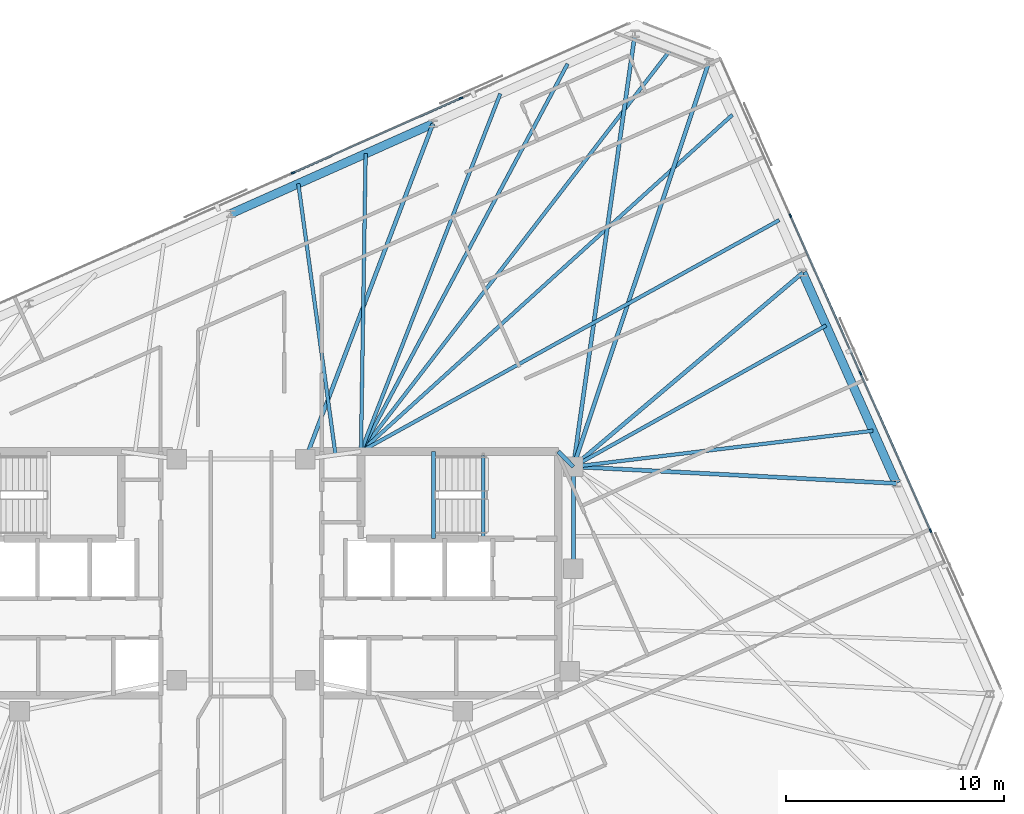
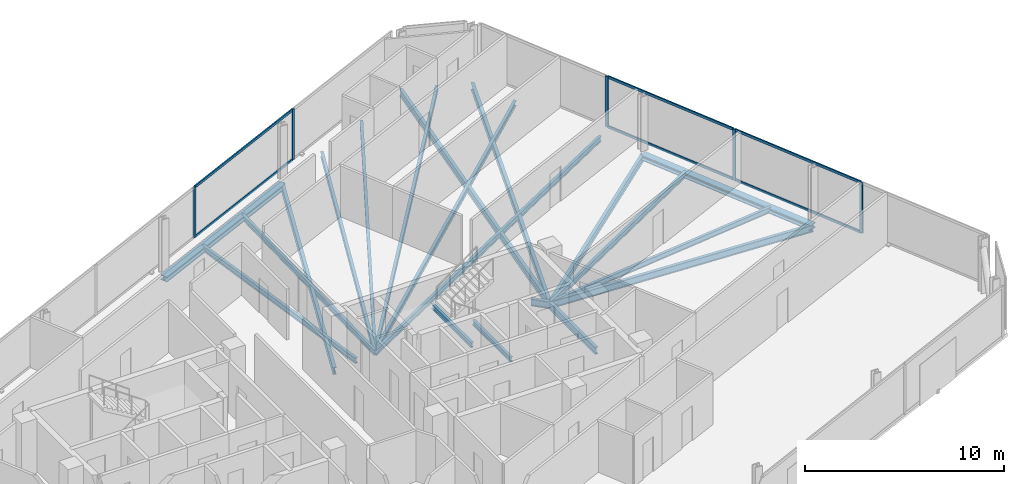
# One storey, part 10 of 18: 20 beams, 11 members, 2 elements without a shape of their own.
"""IFC4 building model written with IfcOpenShell, lengths in metres."""

from ifc_helpers import new_model, si_unit, direction, frame, origin, origin_2d, place, context, subcontext, project, spatial, rectangle, i_section, extrude, material, material_profile, profile_set, type_object, element, aggregate, save


model = new_model("IFC4")

# Units and contexts
model_context = context("Model", 3, precision=1e-05, world=origin(), true_north=direction((0.0, 1.0)))
body_context = subcontext(model_context, "Body", "Model", "MODEL_VIEW")
ifc_project = project(units=[si_unit("LENGTHUNIT", "METRE"), si_unit("AREAUNIT", "SQUARE_METRE"), si_unit("VOLUMEUNIT", "CUBIC_METRE"), si_unit("PLANEANGLEUNIT", "RADIAN"), si_unit("MASSUNIT", "GRAM", prefix="KILO")], contexts=[model_context])

# Site, building, storey
site_placement = place(None, origin())
site = spatial("IfcSite", under=ifc_project, at=site_placement, CompositionType="ELEMENT")
building_placement = place(site_placement, origin())
building = spatial("IfcBuilding", under=site, at=building_placement, Name="Menara Jurai Vektor", CompositionType="ELEMENT")
storey_placement = place(building_placement, frame((0.0, 0.0, 258.85009765625)))
storey = spatial("IfcBuildingStorey", under=building, at=storey_placement, Name="L69", CompositionType="ELEMENT", Elevation=258.85009765625)

# Curtain wall, members
ifc_material_1 = material(Name="Anodised Pale Aluminium & Low-E Double Glazing", Category="aluminium")
curtain_wall_type = type_object("IfcCurtainWallType", Name="CW-BLK5", PredefinedType="NOTDEFINED", material=ifc_material_1)
curtain_wall_1_placement = place(storey_placement, origin())
curtain_wall_1 = element("IfcCurtainWall", 1, at=curtain_wall_1_placement, inside=storey, type_object=curtain_wall_type, Name="Unitised Curtain Wall L69 F03", PredefinedType="NOTDEFINED")
ifc_material_2 = material(Name="Anodised Pale Aluminium Mullion", Category="aluminium")
ifc_material_profile_1 = material_profile(ifc_material_2, rectangle(XDim=0.074951171875, YDim=0.175048828125, at=origin_2d()), Name="ALU MUL 75x175")
ifc_profile_set_1 = profile_set([ifc_material_profile_1], Name="Anodised Pale Aluminium Mullion")
member_type_1 = type_object("IfcMemberType", Name="CW-BLK5-MUL", PredefinedType="MULLION", material=ifc_profile_set_1)
member_1_placement = place(storey_placement, frame((31.6533203125, 1.9658203125, 0.0), z_axis=(0.0, 0.0, 1.0), x_axis=(-0.913546127706, -0.406735138086, 0.0)))
member_1 = element("IfcMember", 2, at=member_1_placement, type_object=member_type_1, Name="CW-05 mullion 2", PredefinedType="MULLION", context=body_context, shape_type="SweptSolid", body=[
    extrude(rectangle(XDim=0.074951171875, YDim=0.175048828125, at=origin_2d()), origin(), (0.0, 0.0, 1.0), 3.125),
])
member_2_placement = place(storey_placement, frame((28.43603515625, 9.19189453125, 0.0), z_axis=(0.0, 0.0, 1.0), x_axis=(-0.913546127706, -0.406735138086, 0.0)))
member_2 = element("IfcMember", 3, at=member_2_placement, type_object=member_type_1, Name="CW-05 mullion 3", PredefinedType="MULLION", context=body_context, shape_type="SweptSolid", body=[
    extrude(rectangle(XDim=0.074951171875, YDim=0.175048828125, at=origin_2d()), origin(), (0.0, 0.0, 1.0), 3.125),
])
member_3_placement = place(storey_placement, frame((25.21875, 16.418212890625, 0.0), z_axis=(0.0, 0.0, 1.0), x_axis=(-0.913546127706, -0.406735138086, 0.0)))
member_3 = element("IfcMember", 4, at=member_3_placement, type_object=member_type_1, Name="CW-05 mullion 4", PredefinedType="MULLION", context=body_context, shape_type="SweptSolid", body=[
    extrude(rectangle(XDim=0.074951171875, YDim=0.175048828125, at=origin_2d()), origin(), (0.0, 0.0, 1.0), 3.125),
])

curtain_wall_2_placement = place(storey_placement, origin())
curtain_wall_2 = element("IfcCurtainWall", 5, at=curtain_wall_2_placement, inside=storey, type_object=curtain_wall_type, Name="Unitised Curtain Wall L69 F05", PredefinedType="NOTDEFINED")
member_4_placement = place(storey_placement, frame((10.0927734375, 21.822998046875, 0.0), z_axis=(0.0, 0.0, 1.0), x_axis=(0.406735498684, -0.913545967158, 0.0)))
member_4 = element("IfcMember", 6, at=member_4_placement, type_object=member_type_1, Name="CW-05 mullion 2", PredefinedType="MULLION", context=body_context, shape_type="SweptSolid", body=[
    extrude(rectangle(XDim=0.074951171875, YDim=0.175048828125, at=origin_2d()), origin(), (0.0, 0.0, 1.0), 3.125),
])
member_5_placement = place(storey_placement, frame((2.38232421875, 18.39013671875, 0.0), z_axis=(0.0, 0.0, 1.0), x_axis=(0.406735498684, -0.913545967158, 0.0)))
member_5 = element("IfcMember", 7, at=member_5_placement, type_object=member_type_1, Name="CW-05 mullion 3", PredefinedType="MULLION", context=body_context, shape_type="SweptSolid", body=[
    extrude(rectangle(XDim=0.074951171875, YDim=0.175048828125, at=origin_2d()), origin(), (0.0, 0.0, 1.0), 3.125),
])

# Member
ifc_material_3 = material(Name="Anodised Pale Aluminium Transom", Category="aluminium")
ifc_material_profile_2 = material_profile(ifc_material_3, rectangle(XDim=0.074951171875, YDim=0.155029296875, at=origin_2d()), Name="ALU TRN 75x155")
ifc_profile_set_2 = profile_set([ifc_material_profile_2], Name="Anodised Pale Aluminium Transom")
member_type_2 = type_object("IfcMemberType", Name="CW-BLK5-TRN", PredefinedType="USERDEFINED", material=ifc_profile_set_2)
member_6_placement = place(storey_placement, frame((31.63818359375, 2.0, 0.037353515625), z_axis=(-0.406731062496, 0.913547942256, 0.0), x_axis=(-0.913547942256, -0.406731062496, 0.0)))
member_6 = element("IfcMember", 8, at=member_6_placement, type_object=member_type_2, Name="CW-05 transom 2.1", ObjectType="TRANSOM", PredefinedType="USERDEFINED", context=body_context, shape_type="SweptSolid", body=[
    extrude(rectangle(XDim=0.074951171875, YDim=0.155029296875, at=origin_2d()), origin(), (0.0, 0.0, 1.0), 7.8349609375),
])

member_7_placement = place(storey_placement, frame((31.63818359375, 2.0, 3.08740234375), z_axis=(-0.406731062496, 0.913547942256, 0.0), x_axis=(-0.913547942256, -0.406731062496, 0.0)))
member_7 = element("IfcMember", 9, at=member_7_placement, type_object=member_type_2, Name="CW-05 transom 2.2", ObjectType="TRANSOM", PredefinedType="USERDEFINED", context=body_context, shape_type="SweptSolid", body=[
    extrude(rectangle(XDim=0.074951171875, YDim=0.155029296875, at=origin_2d()), origin(), (0.0, 0.0, 1.0), 7.8349609375),
])

member_8_placement = place(storey_placement, frame((28.4208984375, 9.226318359375, 0.037353515625), z_axis=(-0.40674264085, 0.913542787238, 0.0), x_axis=(-0.913542787238, -0.40674264085, 0.0)))
member_8 = element("IfcMember", 10, at=member_8_placement, type_object=member_type_2, Name="CW-05 transom 3.1", ObjectType="TRANSOM", PredefinedType="USERDEFINED", context=body_context, shape_type="SweptSolid", body=[
    extrude(rectangle(XDim=0.074951171875, YDim=0.155029296875, at=origin_2d()), origin(), (0.0, 0.0, 1.0), 7.8349609375),
])

member_9_placement = place(storey_placement, frame((28.4208984375, 9.226318359375, 3.08740234375), z_axis=(-0.40674264085, 0.913542787238, 0.0), x_axis=(-0.913542787238, -0.40674264085, 0.0)))
member_9 = element("IfcMember", 11, at=member_9_placement, type_object=member_type_2, Name="CW-05 transom 3.2", ObjectType="TRANSOM", PredefinedType="USERDEFINED", context=body_context, shape_type="SweptSolid", body=[
    extrude(rectangle(XDim=0.074951171875, YDim=0.155029296875, at=origin_2d()), origin(), (0.0, 0.0, 1.0), 7.8349609375),
])

aggregate(curtain_wall_1, [member_1, member_2, member_3, member_6, member_7, member_8, member_9])

member_10_placement = place(storey_placement, frame((10.058349609375, 21.807861328125, 0.037353515625), z_axis=(-0.913546575494, -0.406734132331, 0.0), x_axis=(0.406734132331, -0.913546575494, 0.0)))
member_10 = element("IfcMember", 12, at=member_10_placement, type_object=member_type_2, Name="CW-05 transom 2.1", ObjectType="TRANSOM", PredefinedType="USERDEFINED", context=body_context, shape_type="SweptSolid", body=[
    extrude(rectangle(XDim=0.074951171875, YDim=0.155029296875, at=origin_2d()), origin(), (0.0, 0.0, 1.0), 8.364990234375),
])

member_11_placement = place(storey_placement, frame((10.058349609375, 21.807861328125, 3.08740234375), z_axis=(-0.913546575494, -0.406734132331, 0.0), x_axis=(0.406734132331, -0.913546575494, 0.0)))
member_11 = element("IfcMember", 13, at=member_11_placement, type_object=member_type_2, Name="CW-05 transom 2.2", ObjectType="TRANSOM", PredefinedType="USERDEFINED", context=body_context, shape_type="SweptSolid", body=[
    extrude(rectangle(XDim=0.074951171875, YDim=0.155029296875, at=origin_2d()), origin(), (0.0, 0.0, 1.0), 8.364990234375),
])

aggregate(curtain_wall_2, [member_4, member_5, member_10, member_11])

# Beams
ifc_material_4 = material(Name="Steel S355", Category="steel")
ifc_material_profile_3 = material_profile(ifc_material_4, i_section(OverallWidth=0.18505859375, OverallDepth=0.429931640625, WebThickness=0.010986328125, FlangeThickness=0.01806640625, at=origin_2d()), Name="PG 430x185x76")
ifc_profile_set_3 = profile_set([ifc_material_profile_3], Name="Steel S355")
beam_type_1 = type_object("IfcBeamType", Name="STR-BM-430", PredefinedType="BEAM", material=ifc_profile_set_3)
beam_1_placement = place(storey_placement, frame((14.56005859375, 5.60009765625, -0.440185546875), z_axis=(0.701871936926, -0.712303154672, 0.0), x_axis=(0.712303154672, 0.701871936926, 0.0)))
element("IfcBeam", 14, at=beam_1_placement, inside=storey, type_object=beam_type_1, Name="Core Ring Header Girder L69-CHE-N2", PredefinedType="BEAM", context=body_context, shape_type="SweptSolid", body=[
    extrude(i_section(OverallWidth=0.18505859375, OverallDepth=0.429931640625, WebThickness=0.010986328125, FlangeThickness=0.01806640625, at=origin_2d()), origin(), (0.0, 0.0, 1.0), 0.98291015625),
])
beam_2_placement = place(storey_placement, frame((15.25, 0.219970703125, -0.440185546875), z_axis=(0.0, 1.0, 0.0), x_axis=(-1.0, 0.0, 0.0)))
element("IfcBeam", 15, at=beam_2_placement, inside=storey, type_object=beam_type_1, Name="Core Ring Header Girder L69-CHE-E1", PredefinedType="BEAM", context=body_context, shape_type="SweptSolid", body=[
    extrude(i_section(OverallWidth=0.18505859375, OverallDepth=0.429931640625, WebThickness=0.010986328125, FlangeThickness=0.01806640625, at=origin_2d()), origin(), (0.0, 0.0, 1.0), 4.679931640625),
])
beam_3_placement = place(storey_placement, frame((30.086181640625, 4.13330078125, -0.440185546875), z_axis=(-0.998667716832, 0.051602241782, 0.0), x_axis=(-0.051602241782, -0.998667716832, 0.0)))
element("IfcBeam", 16, at=beam_3_placement, inside=storey, type_object=beam_type_1, Name="Radial Floor Girder L69-E2", PredefinedType="BEAM", context=body_context, shape_type="SweptSolid", body=[
    extrude(i_section(OverallWidth=0.18505859375, OverallDepth=0.429931640625, WebThickness=0.010986328125, FlangeThickness=0.01806640625, at=origin_2d()), origin(), (0.0, 0.0, 1.0), 14.85595703125),
])
beam_4_placement = place(storey_placement, frame((25.781005859375, 13.80322265625, -0.440185546875), z_axis=(-0.763655500673, -0.6456239434, 0.0), x_axis=(0.6456239434, -0.763655500673, 0.0)))
element("IfcBeam", 17, at=beam_4_placement, inside=storey, type_object=beam_type_1, Name="Radial Floor Girder L69-E3", PredefinedType="BEAM", context=body_context, shape_type="SweptSolid", body=[
    extrude(i_section(OverallWidth=0.18505859375, OverallDepth=0.429931640625, WebThickness=0.010986328125, FlangeThickness=0.01806640625, at=origin_2d()), origin(), (0.0, 0.0, 1.0), 13.790283203125),
])
beam_5_placement = place(storey_placement, frame((21.4755859375, 23.473388671875, -0.440185546875), z_axis=(-0.317808893183, -0.948154790851, 0.0), x_axis=(0.948154790851, -0.317808893183, 0.0)))
element("IfcBeam", 18, at=beam_5_placement, inside=storey, type_object=beam_type_1, Name="Radial Floor Girder L69-E4", PredefinedType="BEAM", context=body_context, shape_type="SweptSolid", body=[
    extrude(i_section(OverallWidth=0.18505859375, OverallDepth=0.429931640625, WebThickness=0.010986328125, FlangeThickness=0.01806640625, at=origin_2d()), origin(), (0.0, 0.0, 1.0), 19.589111328125),
])
beam_6_placement = place(storey_placement, frame((18.07958984375, 24.777099609375, -0.440185546875), z_axis=(-0.140932755913, -0.990019170678, 0.0), x_axis=(0.990019170678, -0.140932755913, 0.0)))
element("IfcBeam", 19, at=beam_6_placement, inside=storey, type_object=beam_type_1, Name="Radial Floor Girder L69-N1", PredefinedType="BEAM", context=body_context, shape_type="SweptSolid", body=[
    extrude(i_section(OverallWidth=0.18505859375, OverallDepth=0.429931640625, WebThickness=0.010986328125, FlangeThickness=0.01806640625, at=origin_2d()), origin(), (0.0, 0.0, 1.0), 20.07763671875),
])
beam_7_placement = place(storey_placement, frame((8.805908203125, 20.648193359375, -0.440185546875), z_axis=(-0.355464051758, -0.934689952823, 0.0), x_axis=(0.934689952823, -0.355464051758, 0.0)))
element("IfcBeam", 20, at=beam_7_placement, inside=storey, type_object=beam_type_1, Name="Radial Floor Girder L69-N2", PredefinedType="BEAM", context=body_context, shape_type="SweptSolid", body=[
    extrude(i_section(OverallWidth=0.18505859375, OverallDepth=0.429931640625, WebThickness=0.010986328125, FlangeThickness=0.01806640625, at=origin_2d()), origin(), (0.0, 0.0, 1.0), 16.47412109375),
])
ifc_material_5 = material(Name="Steel S460", Category="steel")
ifc_material_profile_4 = material_profile(ifc_material_5, i_section(OverallWidth=0.39697265625, OverallDepth=0.31591796875, WebThickness=0.030029296875, FlangeThickness=0.048095703125, FilletRadius=0.014892578125, at=origin_2d()), Name="HD 400x382")
ifc_profile_set_4 = profile_set([ifc_material_profile_4], Name="Steel S460")
beam_type_2 = type_object("IfcBeamType", Name="STR-BM-CHORD382", PredefinedType="SPANDREL", material=ifc_profile_set_4)
beam_8_placement = place(storey_placement, frame((30.086181640625, 4.13330078125, -0.383056640625), z_axis=(-0.406724751578, 0.913550751986, 0.0), x_axis=(-0.913550751986, -0.406724751578, 0.0)))
element("IfcBeam", 21, at=beam_8_placement, inside=storey, type_object=beam_type_2, Name="Exoskeleton Spandrel Beam L69-08", PredefinedType="SPANDREL", context=body_context, shape_type="SweptSolid", body=[
    extrude(i_section(OverallWidth=0.39697265625, OverallDepth=0.31591796875, WebThickness=0.030029296875, FlangeThickness=0.048095703125, FilletRadius=0.014892578125, at=origin_2d()), origin(), (0.0, 0.0, 1.0), 10.5849609375),
])
beam_9_placement = place(storey_placement, frame((8.805908203125, 20.648193359375, -0.383056640625), z_axis=(-0.913541582548, -0.406745346568, 0.0), x_axis=(0.406745346568, -0.913541582548, 0.0)))
element("IfcBeam", 22, at=beam_9_placement, inside=storey, type_object=beam_type_2, Name="Exoskeleton Spandrel Beam L69-12", PredefinedType="SPANDREL", context=body_context, shape_type="SweptSolid", body=[
    extrude(i_section(OverallWidth=0.39697265625, OverallDepth=0.31591796875, WebThickness=0.030029296875, FlangeThickness=0.048095703125, FilletRadius=0.014892578125, at=origin_2d()), origin(), (0.0, 0.0, 1.0), 10.151123046875),
])
ifc_material_profile_5 = material_profile(ifc_material_4, i_section(OverallWidth=0.1650390625, OverallDepth=0.330078125, WebThickness=0.009033203125, FlangeThickness=0.013916015625, at=origin_2d()), Name="PG 330x165x46")
ifc_profile_set_5 = profile_set([ifc_material_profile_5], Name="Steel S355")
beam_type_3 = type_object("IfcBeamType", Name="STR-JS-330", PredefinedType="JOIST", material=ifc_profile_set_5)
beam_10_placement = place(storey_placement, frame((29.010009765625, 6.55078125, -0.39013671875), z_axis=(-0.992879589053, -0.119122296999, 0.0), x_axis=(0.119122296999, -0.992879589053, 0.0)))
element("IfcBeam", 23, at=beam_10_placement, inside=storey, type_object=beam_type_3, Name="Radial Secondary Floor Joist L69-JS10", PredefinedType="JOIST", context=body_context, shape_type="SweptSolid", body=[
    extrude(i_section(OverallWidth=0.1650390625, OverallDepth=0.330078125, WebThickness=0.009033203125, FlangeThickness=0.013916015625, at=origin_2d()), origin(), (0.0, 0.0, 1.0), 13.858642578125),
])
beam_11_placement = place(storey_placement, frame((26.857177734375, 11.3857421875, -0.39013671875), z_axis=(-0.872960269613, -0.487791315705, 0.0), x_axis=(0.487791315705, -0.872960269613, 0.0)))
element("IfcBeam", 24, at=beam_11_placement, inside=storey, type_object=beam_type_3, Name="Radial Secondary Floor Joist L69-JS11", PredefinedType="JOIST", context=body_context, shape_type="SweptSolid", body=[
    extrude(i_section(OverallWidth=0.1650390625, OverallDepth=0.330078125, WebThickness=0.009033203125, FlangeThickness=0.013916015625, at=origin_2d()), origin(), (0.0, 0.0, 1.0), 13.29638671875),
])
beam_12_placement = place(storey_placement, frame((24.70458984375, 16.220703125, -0.39013671875), z_axis=(-0.87509599458, -0.483949377797, 0.0), x_axis=(0.483949377797, -0.87509599458, 0.0)))
element("IfcBeam", 25, at=beam_12_placement, inside=storey, type_object=beam_type_3, Name="Radial Secondary Floor Joist L69-JS12", PredefinedType="JOIST", context=body_context, shape_type="SweptSolid", body=[
    extrude(i_section(OverallWidth=0.1650390625, OverallDepth=0.330078125, WebThickness=0.009033203125, FlangeThickness=0.013916015625, at=origin_2d()), origin(), (0.0, 0.0, 1.0), 21.94580078125),
])
beam_13_placement = place(storey_placement, frame((22.552001953125, 21.055908203125, -0.39013671875), z_axis=(-0.74093432875, -0.67157748658, 0.0), x_axis=(0.67157748658, -0.74093432875, 0.0)))
element("IfcBeam", 26, at=beam_13_placement, inside=storey, type_object=beam_type_3, Name="Radial Secondary Floor Joist L69-JS13", PredefinedType="JOIST", context=body_context, shape_type="SweptSolid", body=[
    extrude(i_section(OverallWidth=0.1650390625, OverallDepth=0.330078125, WebThickness=0.009033203125, FlangeThickness=0.013916015625, at=origin_2d()), origin(), (0.0, 0.0, 1.0), 23.01416015625),
])
beam_14_placement = place(storey_placement, frame((19.777587890625, 24.125244140625, -0.39013671875), z_axis=(-0.610448519134, -0.792055935832, 0.0), x_axis=(0.792055935832, -0.610448519134, 0.0)))
element("IfcBeam", 27, at=beam_14_placement, inside=storey, type_object=beam_type_3, Name="Radial Secondary Floor Joist L69-JS14", PredefinedType="JOIST", context=body_context, shape_type="SweptSolid", body=[
    extrude(i_section(OverallWidth=0.1650390625, OverallDepth=0.330078125, WebThickness=0.009033203125, FlangeThickness=0.013916015625, at=origin_2d()), origin(), (0.0, 0.0, 1.0), 23.388671875),
])
beam_15_placement = place(storey_placement, frame((14.98828125, 23.400634765625, -0.39013671875), z_axis=(-0.470382173413, -0.882462809945, 0.0), x_axis=(0.882462809945, -0.470382173413, 0.0)))
element("IfcBeam", 28, at=beam_15_placement, inside=storey, type_object=beam_type_3, Name="Radial Secondary Floor Joist L69-JS15", PredefinedType="JOIST", context=body_context, shape_type="SweptSolid", body=[
    extrude(i_section(OverallWidth=0.1650390625, OverallDepth=0.330078125, WebThickness=0.009033203125, FlangeThickness=0.013916015625, at=origin_2d()), origin(), (0.0, 0.0, 1.0), 20.17138671875),
])
beam_16_placement = place(storey_placement, frame((11.897216796875, 22.0244140625, -0.39013671875), z_axis=(-0.36293816309, -0.931813226872, 0.0), x_axis=(0.931813226872, -0.36293816309, 0.0)))
element("IfcBeam", 29, at=beam_16_placement, inside=storey, type_object=beam_type_3, Name="Radial Secondary Floor Joist L69-JS16", PredefinedType="JOIST", context=body_context, shape_type="SweptSolid", body=[
    extrude(i_section(OverallWidth=0.1650390625, OverallDepth=0.330078125, WebThickness=0.009033203125, FlangeThickness=0.013916015625, at=origin_2d()), origin(), (0.0, 0.0, 1.0), 17.626220703125),
])
beam_17_placement = place(storey_placement, frame((5.71484375, 19.27197265625, -0.39013671875), z_axis=(-0.01571234584, -0.999876553475, 0.0), x_axis=(0.999876553475, -0.01571234584, 0.0)))
element("IfcBeam", 30, at=beam_17_placement, inside=storey, type_object=beam_type_3, Name="Radial Secondary Floor Joist L69-JS17", PredefinedType="JOIST", context=body_context, shape_type="SweptSolid", body=[
    extrude(i_section(OverallWidth=0.1650390625, OverallDepth=0.330078125, WebThickness=0.009033203125, FlangeThickness=0.013916015625, at=origin_2d()), origin(), (0.0, 0.0, 1.0), 13.673583984375),
])
beam_18_placement = place(storey_placement, frame((2.62353515625, 17.8955078125, -0.39013671875), z_axis=(0.13599011119, -0.990710194587, 0.0), x_axis=(0.990710194587, 0.13599011119, 0.0)))
element("IfcBeam", 31, at=beam_18_placement, inside=storey, type_object=beam_type_3, Name="Radial Secondary Floor Joist L69-JS18", PredefinedType="JOIST", context=body_context, shape_type="SweptSolid", body=[
    extrude(i_section(OverallWidth=0.1650390625, OverallDepth=0.330078125, WebThickness=0.009033203125, FlangeThickness=0.013916015625, at=origin_2d()), origin(), (0.0, 0.0, 1.0), 12.572265625),
])
ifc_material_profile_6 = material_profile(ifc_material_4, i_section(OverallWidth=0.1650390625, OverallDepth=0.302978515625, WebThickness=0.006103515625, FlangeThickness=0.010009765625, FilletRadius=0.009033203125, at=origin_2d()), Name="UKB 305x165x40")
ifc_profile_set_6 = profile_set([ifc_material_profile_6], Name="Steel S355")
beam_type_4 = type_object("IfcBeamType", Name="STR-LN-305", PredefinedType="LINTEL", material=ifc_profile_set_6)
beam_19_placement = place(storey_placement, frame((11.1201171875, 1.60009765625, -0.376708984375), z_axis=(0.0, 1.0, 0.0), x_axis=(-1.0, 0.0, 0.0)))
element("IfcBeam", 32, at=beam_19_placement, inside=storey, type_object=beam_type_4, Name="Stair Well Floor Trimmer ST2 L69", PredefinedType="LINTEL", context=body_context, shape_type="SweptSolid", body=[
    extrude(i_section(OverallWidth=0.1650390625, OverallDepth=0.302978515625, WebThickness=0.006103515625, FlangeThickness=0.010009765625, FilletRadius=0.009033203125, at=origin_2d()), origin(), (0.0, 0.0, 1.0), 3.81982421875),
])
beam_20_placement = place(storey_placement, frame((8.830078125, 1.60009765625, 1.323486328125), z_axis=(0.0, 1.0, 0.0), x_axis=(-1.0, 0.0, 0.0)))
element("IfcBeam", 33, at=beam_20_placement, inside=storey, type_object=beam_type_4, Name="Stair Half-Landing Nosing Trimmer ST2-1 L69", PredefinedType="LINTEL", context=body_context, shape_type="SweptSolid", body=[
    extrude(i_section(OverallWidth=0.1650390625, OverallDepth=0.302978515625, WebThickness=0.006103515625, FlangeThickness=0.010009765625, FilletRadius=0.009033203125, at=origin_2d()), origin(), (0.0, 0.0, 1.0), 4.0),
])

save(model, "model.ifc")
